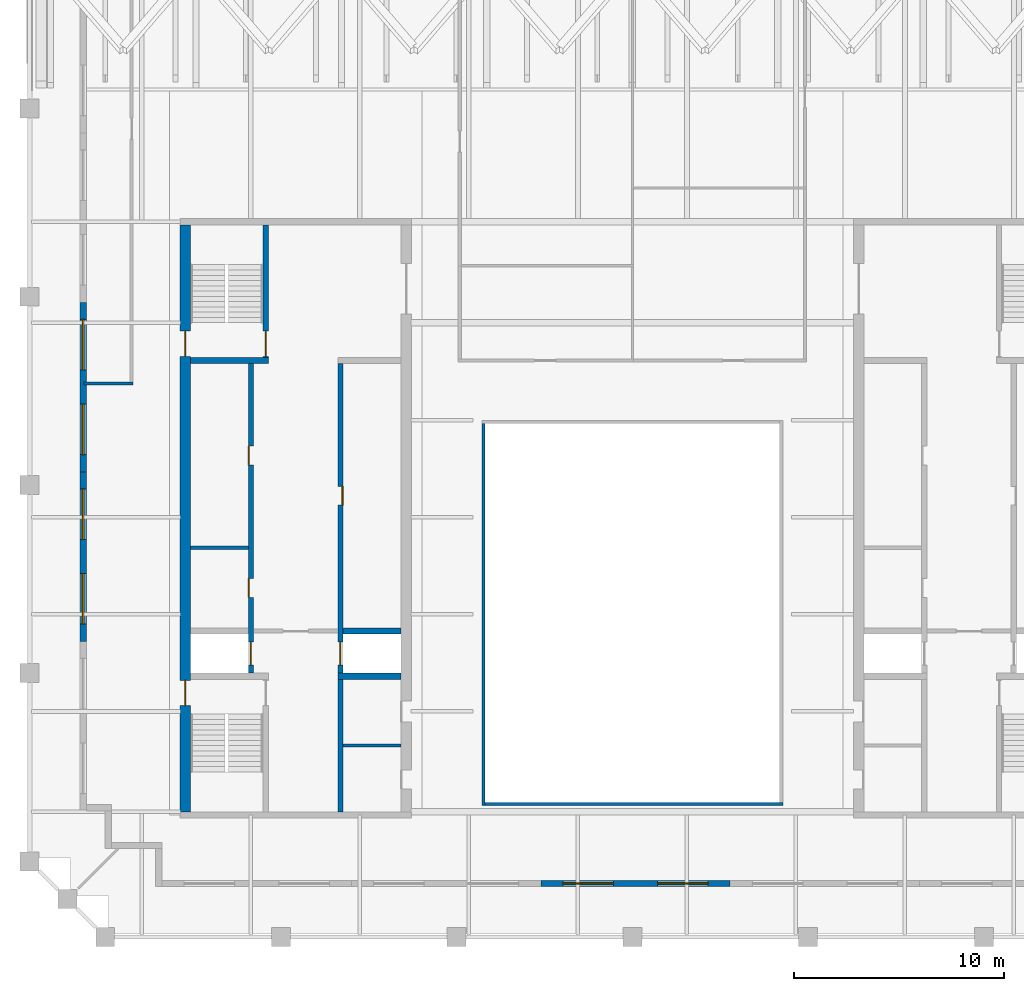
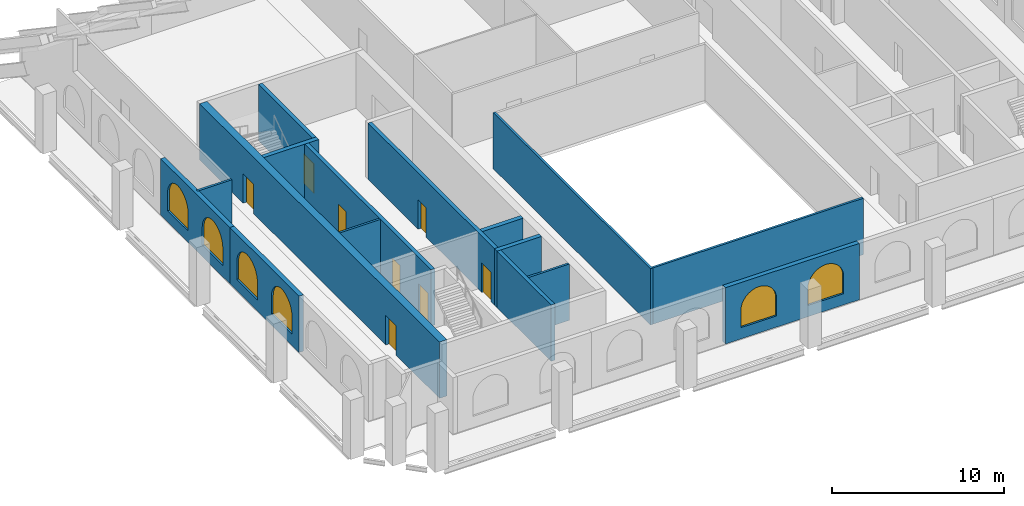
# One storey, part 3 of 8: 15 walls, 8 doors, 6 windows, 14 openings.
"""IFC4 building model written with IfcOpenShell, lengths in metres."""

from ifc_helpers import new_model, si_unit, direction, frame, frame_2d, origin, place, context, subcontext, project, spatial, polyline, rectangle, outline, extrude, material, layer, layer_set, type_object, element, fill, save


model = new_model("IFC4")

# Units and contexts
model_context = context("Model", 3, precision=1e-05, world=origin(), true_north=direction((0.0, 1.0)))
body_context = subcontext(model_context, "Body", "Model", "MODEL_VIEW")
ifc_project = project(units=[si_unit("LENGTHUNIT", "METRE"), si_unit("AREAUNIT", "SQUARE_METRE"), si_unit("VOLUMEUNIT", "CUBIC_METRE"), si_unit("PLANEANGLEUNIT", "RADIAN"), si_unit("MASSUNIT", "GRAM", prefix="KILO")], contexts=[model_context])

# Site, building, storey
site_placement = place(None, origin())
site = spatial("IfcSite", under=ifc_project, at=site_placement, CompositionType="ELEMENT")
building_placement = place(site_placement, origin())
building = spatial("IfcBuilding", under=site, at=building_placement, Name="Ogive Exchange Tower", CompositionType="ELEMENT")
storey_placement = place(building_placement, frame((0.0, 0.0, 381.60009765625)))
storey = spatial("IfcBuildingStorey", under=building, at=storey_placement, Name="C04", CompositionType="ELEMENT", Elevation=381.60009765625)

# Walls
ifc_material_1 = material(Name="Gypsum board partition")
ifc_layer_1 = layer(ifc_material_1, 0.14990234375)
ifc_layer_set_1 = layer_set([ifc_layer_1], Name="Core room partition 150 gypsum")
wall_type_1 = type_object("IfcWallType", Name="Core room partition 150 gypsum", PredefinedType="PARTITIONING", material=ifc_layer_set_1)
for number, where, z_axis, x_axis, name in (
    (1, (-21.0, 10.10009765625, 0.0), (0.0, 0.0, 1.0), (1.0, 0.0, 0.0), "W row A bay partition 1-1"),
    (2, (-13.75, 0.699951171875, 0.0), (0.0, 0.0, 1.0), (1.0, 0.0, 0.0), "W south room partition"),
):
    element("IfcWall", number, at=place(storey_placement, frame(where, z_axis=z_axis, x_axis=x_axis)), inside=storey, type_object=wall_type_1, Name=name, PredefinedType="PARTITIONING", context=body_context, shape_type="SweptSolid", body=[
        extrude(rectangle(XDim=2.75, YDim=0.14990234375, at=frame_2d((1.375, 0.0))), origin(), (0.0, 0.0, 1.0), 4.0),
    ])
ifc_material_2 = material(Name="Fire partition EI 60 150")
ifc_layer_2 = layer(ifc_material_2, 0.14990234375)
ifc_layer_set_2 = layer_set([ifc_layer_2], Name="Fire partition EI 60 150")
wall_type_2 = type_object("IfcWallType", Name="Fire partition EI 60 150", PredefinedType="PARTITIONING", material=ifc_layer_set_2)
wall_1_placement = place(storey_placement, frame((-26.050048828125, 17.909912109375, 0.0), z_axis=(0.0, 0.0, 1.0), x_axis=(1.0, 0.0, 0.0)))
element("IfcWall", 3, at=wall_1_placement, inside=storey, type_object=wall_type_2, Name="C04-PWL-001", PredefinedType="PARTITIONING", context=body_context, shape_type="SweptSolid", body=[
    extrude(rectangle(XDim=2.324951171875, YDim=0.14990234375, at=frame_2d((1.16259765625, 0.0))), origin(), (0.0, 0.0, 1.0), 4.0),
])
ifc_material_3 = material(Name="Fire-resisting glass in steel frame", Category="steel")
ifc_layer_3 = layer(ifc_material_3, 0.14990234375)
ifc_layer_set_3 = layer_set([ifc_layer_3], Name="Fire-rated glazed wall 150")
wall_type_3 = type_object("IfcWallType", Name="Fire-rated glazed wall 150", PredefinedType="STANDARD", material=ifc_layer_set_3)
wall_2_placement = place(storey_placement, frame((-7.074951171875, -2.14990234375, 0.0), z_axis=(0.0, 0.0, 1.0), x_axis=(0.0, 1.0, 0.0)))
element("IfcWall", 4, at=wall_2_placement, inside=storey, type_object=wall_type_3, Name="Nave enclosure wall 1", PredefinedType="STANDARD", context=body_context, shape_type="SweptSolid", body=[
    extrude(rectangle(XDim=18.2998046875, YDim=0.14990234375, at=frame_2d((9.14990234375, 0.0))), origin(), (0.0, 0.0, 1.0), 4.0),
])
wall_3_placement = place(storey_placement, frame((7.14990234375, -2.074951171875, 0.0), z_axis=(0.0, 0.0, 1.0), x_axis=(-1.0, 0.0, 0.0)))
element("IfcWall", 5, at=wall_3_placement, inside=storey, type_object=wall_type_3, Name="Nave enclosure wall 4", PredefinedType="STANDARD", context=body_context, shape_type="SweptSolid", body=[
    extrude(rectangle(XDim=14.14990234375, YDim=0.14990234375, at=frame_2d((7.074951171875, 0.0))), origin(), (0.0, 0.0, 1.0), 4.0),
])

# Wall, opening, door
ifc_material_4 = material(Name="Concrete C70/85", Category="concrete")
ifc_layer_4 = layer(ifc_material_4, 0.25)
ifc_layer_set_4 = layer_set([ifc_layer_4], Name="RC core wall 250 C70/85")
wall_type_4 = type_object("IfcWallType", Name="RC core wall 250 C70/85", PredefinedType="SHEAR", material=ifc_layer_set_4)
wall_4_placement = place(storey_placement, frame((-17.425048828125, 19.14990234375, 0.0), z_axis=(0.0, 0.0, 1.0), x_axis=(0.0, 1.0, 0.0)))
wall_4 = element("IfcWall", 6, at=wall_4_placement, inside=storey, type_object=wall_type_4, Name="W stair N front wall", PredefinedType="SHEAR", context=body_context, shape_type="SweptSolid", body=[
    extrude(rectangle(XDim=6.300048828125, YDim=0.25, at=frame_2d((3.14990234375, 0.0))), origin(), (0.0, 0.0, 1.0), 4.0),
])
opening_1_placement = place(wall_4_placement, frame((0.050048828125, 0.0, 0.0)))
opening_1 = element("IfcOpeningElement", 7, at=opening_1_placement, cuts=wall_4, Name="Opening C04-C10", PredefinedType="OPENING", context=body_context, shape_type="SweptSolid", body=[
    extrude(rectangle(XDim=1.199951171875, YDim=2.10009765625, at=frame_2d((0.60009765625, 1.050048828125))), frame((0.0, 0.135009765625, 0.0), z_axis=(0.0, -1.0, 0.0), x_axis=(1.0, 0.0, 0.0)), (0.0, 0.0, 1.0), 0.27001953125),
])
ifc_material_5 = material(Name="Steel fire door", Category="steel")
door_type_1 = type_object("IfcDoorType", Name="Stair door FD90 1200 x 2100", OperationType="NOTDEFINED", PredefinedType="DOOR", material=ifc_material_5)
door_1_placement = place(opening_1_placement, origin())
door_1 = element("IfcDoor", 8, at=door_1_placement, inside=storey, type_object=door_type_1, Name="Stair door", ObjectType="CD5", OperationType="SINGLE_SWING_RIGHT", OverallHeight=2.10009765625, OverallWidth=1.199951171875, PredefinedType="DOOR", context=body_context, shape_type="SweptSolid", body=[
    extrude(rectangle(XDim=1.199951171875, YDim=2.10009765625, at=frame_2d((0.60009765625, 1.050048828125))), frame((0.0, 0.02490234375, 0.0), z_axis=(0.0, -1.0, 0.0), x_axis=(1.0, 0.0, 0.0)), (0.0, 0.0, 1.0), 0.050048828125),
])
fill(opening_1, door_1)

# Wall, openings, doors
wall_5_placement = place(storey_placement, frame((-18.125, 4.14990234375, 0.0), z_axis=(0.0, 0.0, 1.0), x_axis=(0.0, 1.0, 0.0)))
wall_5 = element("IfcWall", 9, at=wall_5_placement, inside=storey, type_object=wall_type_4, Name="W row A front wall", PredefinedType="SHEAR", context=body_context, shape_type="SweptSolid", body=[
    extrude(rectangle(XDim=14.7001953125, YDim=0.25, at=frame_2d((7.35009765625, 0.0))), origin(), (0.0, 0.0, 1.0), 4.0),
])
opening_2_placement = place(wall_5_placement, frame((3.596435546875, 0.0, 0.0)))
opening_2 = element("IfcOpeningElement", 10, at=opening_2_placement, cuts=wall_5, Name="Opening C04-C01", PredefinedType="OPENING", context=body_context, shape_type="SweptSolid", body=[
    extrude(rectangle(XDim=0.89990234375, YDim=2.10009765625, at=frame_2d((0.449951171875, 1.050048828125))), frame((0.0, 0.135009765625, 0.0), z_axis=(0.0, -1.0, 0.0), x_axis=(1.0, 0.0, 0.0)), (0.0, 0.0, 1.0), 0.27001953125),
])
opening_3_placement = place(wall_5_placement, frame((9.875, 0.0, 0.0)))
opening_3 = element("IfcOpeningElement", 11, at=opening_3_placement, cuts=wall_5, Name="Opening C04-C02", PredefinedType="OPENING", context=body_context, shape_type="SweptSolid", body=[
    extrude(rectangle(XDim=0.89990234375, YDim=2.10009765625, at=frame_2d((0.449951171875, 1.050048828125))), frame((0.0, 0.135009765625, 0.0), z_axis=(0.0, -1.0, 0.0), x_axis=(1.0, 0.0, 0.0)), (0.0, 0.0, 1.0), 0.27001953125),
])
opening_4_placement = place(wall_5_placement, frame((0.371337890625, 0.0, 0.0)))
opening_4 = element("IfcOpeningElement", 12, at=opening_4_placement, cuts=wall_5, Name="Opening C04-C03", PredefinedType="OPENING", context=body_context, shape_type="SweptSolid", body=[
    extrude(rectangle(XDim=1.10009765625, YDim=2.10009765625, at=frame_2d((0.550048828125, 1.050048828125))), frame((0.0, 0.135009765625, 0.0), z_axis=(0.0, -1.0, 0.0), x_axis=(1.0, 0.0, 0.0)), (0.0, 0.0, 1.0), 0.27001953125),
])
ifc_material_6 = material(Name="Stainless steel", Category="steel")
door_type_2 = type_object("IfcDoorType", Name="Lift landing door FD90 1100 x 2100", OperationType="SLIDING_TO_LEFT", PredefinedType="DOOR", material=ifc_material_6)
door_2_placement = place(opening_4_placement, origin())
door_2 = element("IfcDoor", 13, at=door_2_placement, inside=storey, type_object=door_type_2, Name="Lift landing door FF1", ObjectType="LD", OperationType="SLIDING_TO_LEFT", OverallHeight=2.10009765625, OverallWidth=1.10009765625, PredefinedType="DOOR", context=body_context, shape_type="SweptSolid", body=[
    extrude(rectangle(XDim=1.10009765625, YDim=2.10009765625, at=frame_2d((0.550048828125, 1.050048828125))), frame((0.0, 0.02490234375, 0.0), z_axis=(0.0, -1.0, 0.0), x_axis=(1.0, 0.0, 0.0)), (0.0, 0.0, 1.0), 0.050048828125),
])
fill(opening_4, door_2)
door_type_3 = type_object("IfcDoorType", Name="Riser door FD60 900 x 2100", OperationType="NOTDEFINED", PredefinedType="DOOR", material=ifc_material_5)
door_3_placement = place(opening_2_placement, origin())
door_3 = element("IfcDoor", 14, at=door_3_placement, inside=storey, type_object=door_type_3, Name="Riser door", ObjectType="CD2", OperationType="SINGLE_SWING_RIGHT", OverallHeight=2.10009765625, OverallWidth=0.89990234375, PredefinedType="DOOR", context=body_context, shape_type="SweptSolid", body=[
    extrude(rectangle(XDim=0.89990234375, YDim=2.10009765625, at=frame_2d((0.449951171875, 1.050048828125))), frame((0.0, 0.125, 0.0), z_axis=(0.0, -1.0, 0.0), x_axis=(1.0, 0.0, 0.0)), (0.0, 0.0, 1.0), 0.050048828125),
])
fill(opening_2, door_3)
door_4_placement = place(opening_3_placement, origin())
door_4 = element("IfcDoor", 15, at=door_4_placement, inside=storey, type_object=door_type_3, Name="Riser door", ObjectType="CD2", OperationType="SINGLE_SWING_RIGHT", OverallHeight=2.10009765625, OverallWidth=0.89990234375, PredefinedType="DOOR", context=body_context, shape_type="SweptSolid", body=[
    extrude(rectangle(XDim=0.89990234375, YDim=2.10009765625, at=frame_2d((0.449951171875, 1.050048828125))), frame((0.0, 0.125, 0.0), z_axis=(0.0, -1.0, 0.0), x_axis=(1.0, 0.0, 0.0)), (0.0, 0.0, 1.0), 0.050048828125),
])
fill(opening_3, door_4)

wall_6_placement = place(storey_placement, frame((-13.875, -2.449951171875, 0.0), z_axis=(0.0, 0.0, 1.0), x_axis=(0.0, 1.0, 0.0)))
wall_6 = element("IfcWall", 16, at=wall_6_placement, inside=storey, type_object=wall_type_4, Name="W row B front wall", PredefinedType="SHEAR", context=body_context, shape_type="SweptSolid", body=[
    extrude(rectangle(XDim=21.300048828125, YDim=0.25, at=frame_2d((10.64990234375, 0.0))), origin(), (0.0, 0.0, 1.0), 4.0),
])
opening_5_placement = place(wall_6_placement, frame((14.5712890625, 0.0, 0.0)))
opening_5 = element("IfcOpeningElement", 17, at=opening_5_placement, cuts=wall_6, Name="Opening C04-C04", PredefinedType="OPENING", context=body_context, shape_type="SweptSolid", body=[
    extrude(rectangle(XDim=0.89990234375, YDim=2.10009765625, at=frame_2d((0.449951171875, 1.050048828125))), frame((0.0, 0.135009765625, 0.0), z_axis=(0.0, -1.0, 0.0), x_axis=(1.0, 0.0, 0.0)), (0.0, 0.0, 1.0), 0.27001953125),
])
opening_6_placement = place(wall_6_placement, frame((6.971435546875, 0.0, 0.0)))
opening_6 = element("IfcOpeningElement", 18, at=opening_6_placement, cuts=wall_6, Name="Opening C04-C05", PredefinedType="OPENING", context=body_context, shape_type="SweptSolid", body=[
    extrude(rectangle(XDim=1.10009765625, YDim=2.10009765625, at=frame_2d((0.550048828125, 1.050048828125))), frame((0.0, 0.135009765625, 0.0), z_axis=(0.0, -1.0, 0.0), x_axis=(1.0, 0.0, 0.0)), (0.0, 0.0, 1.0), 0.27001953125),
])
door_5_placement = place(opening_6_placement, origin())
door_5 = element("IfcDoor", 19, at=door_5_placement, inside=storey, type_object=door_type_2, Name="Lift landing door SV1", ObjectType="LD", OperationType="SLIDING_TO_LEFT", OverallHeight=2.10009765625, OverallWidth=1.10009765625, PredefinedType="DOOR", context=body_context, shape_type="SweptSolid", body=[
    extrude(rectangle(XDim=1.10009765625, YDim=2.10009765625, at=frame_2d((0.550048828125, 1.050048828125))), frame((0.0, 0.02490234375, 0.0), z_axis=(0.0, -1.0, 0.0), x_axis=(1.0, 0.0, 0.0)), (0.0, 0.0, 1.0), 0.050048828125),
])
fill(opening_6, door_5)
door_6_placement = place(opening_5_placement, frame((0.89990234375, -0.2001953125, 0.0), z_axis=(0.0, 0.0, 1.0), x_axis=(-1.0, 0.0, 0.0)))
door_6 = element("IfcDoor", 20, at=door_6_placement, inside=storey, type_object=door_type_3, Name="Riser door", ObjectType="CD2", OperationType="SINGLE_SWING_RIGHT", OverallHeight=2.10009765625, OverallWidth=0.89990234375, PredefinedType="DOOR", context=body_context, shape_type="SweptSolid", body=[
    extrude(rectangle(XDim=0.89990234375, YDim=2.10009765625, at=frame_2d((0.449951171875, 1.050048828125))), frame((0.0, -0.0751953125, 0.0), z_axis=(0.0, -1.0, 0.0), x_axis=(1.0, 0.0, 0.0)), (0.0, 0.0, 1.0), 0.050048828125),
])
fill(opening_5, door_6)

# Walls
ifc_layer_5 = layer(ifc_material_4, 0.300048828125)
ifc_layer_set_5 = layer_set([ifc_layer_5], Name="RC core wall 300 C70/85")
wall_type_5 = type_object("IfcWallType", Name="RC core wall 300 C70/85", PredefinedType="SHEAR", material=ifc_layer_set_5)
wall_7_placement = place(storey_placement, frame((-21.0, 19.0, 0.0), z_axis=(0.0, 0.0, 1.0), x_axis=(1.0, 0.0, 0.0)))
element("IfcWall", 21, at=wall_7_placement, inside=storey, type_object=wall_type_5, Name="W stair N south wall", PredefinedType="SHEAR", context=body_context, shape_type="SweptSolid", body=[
    extrude(rectangle(XDim=3.699951171875, YDim=0.300048828125, at=frame_2d((1.85009765625, 0.0))), origin(), (0.0, 0.0, 1.0), 4.0),
])
wall_8_placement = place(storey_placement, frame((-14.0, 4.0, 0.0), z_axis=(0.0, 0.0, 1.0), x_axis=(1.0, 0.0, 0.0)))
element("IfcWall", 22, at=wall_8_placement, inside=storey, type_object=wall_type_5, Name="W row B divider 0", PredefinedType="SHEAR", context=body_context, shape_type="SweptSolid", body=[
    extrude(rectangle(XDim=3.0, YDim=0.300048828125, at=frame_2d((1.5, 0.0))), origin(), (0.0, 0.0, 1.0), 4.0),
])
wall_9_placement = place(storey_placement, frame((-13.75, 6.142822265625, 0.0), z_axis=(0.0, 0.0, 1.0), x_axis=(1.0, 0.0, 0.0)))
element("IfcWall", 23, at=wall_9_placement, inside=storey, type_object=wall_type_5, Name="W row B divider 1", PredefinedType="SHEAR", context=body_context, shape_type="SweptSolid", body=[
    extrude(rectangle(XDim=2.75, YDim=0.300048828125, at=frame_2d((1.375, 0.0))), origin(), (0.0, 0.0, 1.0), 4.0),
])

# Wall, openings, doors
ifc_layer_6 = layer(ifc_material_4, 0.5)
ifc_layer_set_6 = layer_set([ifc_layer_6], Name="RC core wall 500 C70/85")
wall_type_6 = type_object("IfcWallType", Name="RC core wall 500 C70/85", PredefinedType="SHEAR", material=ifc_layer_set_6)
wall_10_placement = place(storey_placement, frame((-21.25, -2.449951171875, 0.0), z_axis=(0.0, 0.0, 1.0), x_axis=(0.0, 1.0, 0.0)))
wall_10 = element("IfcWall", 24, at=wall_10_placement, inside=storey, type_object=wall_type_6, Name="W outer wall", PredefinedType="SHEAR", context=body_context, shape_type="SweptSolid", body=[
    extrude(rectangle(XDim=27.89990234375, YDim=0.5, at=frame_2d((13.949951171875, 0.0))), origin(), (0.0, 0.0, 1.0), 4.0),
])
opening_7_placement = place(wall_10_placement, frame((5.050048828125, 0.0, 0.0)))
opening_7 = element("IfcOpeningElement", 25, at=opening_7_placement, cuts=wall_10, Name="Opening C04-C09", PredefinedType="OPENING", context=body_context, shape_type="SweptSolid", body=[
    extrude(rectangle(XDim=1.199951171875, YDim=2.10009765625, at=frame_2d((0.60009765625, 1.050048828125))), frame((0.0, 0.260009765625, 0.0), z_axis=(0.0, -1.0, 0.0), x_axis=(1.0, 0.0, 0.0)), (0.0, 0.0, 1.0), 0.52001953125),
])
opening_8_placement = place(wall_10_placement, frame((21.64990234375, 0.0, 0.0)))
opening_8 = element("IfcOpeningElement", 26, at=opening_8_placement, cuts=wall_10, Name="Opening C04-C11", PredefinedType="OPENING", context=body_context, shape_type="SweptSolid", body=[
    extrude(rectangle(XDim=1.199951171875, YDim=2.10009765625, at=frame_2d((0.60009765625, 1.050048828125))), frame((0.0, 0.260009765625, 0.0), z_axis=(0.0, -1.0, 0.0), x_axis=(1.0, 0.0, 0.0)), (0.0, 0.0, 1.0), 0.52001953125),
])
door_7_placement = place(opening_7_placement, origin())
door_7 = element("IfcDoor", 27, at=door_7_placement, inside=storey, type_object=door_type_1, Name="Stair door", ObjectType="CD5", OperationType="SINGLE_SWING_RIGHT", OverallHeight=2.10009765625, OverallWidth=1.199951171875, PredefinedType="DOOR", context=body_context, shape_type="SweptSolid", body=[
    extrude(rectangle(XDim=1.199951171875, YDim=2.10009765625, at=frame_2d((0.60009765625, 1.050048828125))), frame((0.0, 0.02490234375, 0.0), z_axis=(0.0, -1.0, 0.0), x_axis=(1.0, 0.0, 0.0)), (0.0, 0.0, 1.0), 0.050048828125),
])
fill(opening_7, door_7)
door_8_placement = place(opening_8_placement, origin())
door_8 = element("IfcDoor", 28, at=door_8_placement, inside=storey, type_object=door_type_1, Name="Stair door", ObjectType="CD5", OperationType="SINGLE_SWING_LEFT", OverallHeight=2.10009765625, OverallWidth=1.199951171875, PredefinedType="DOOR", context=body_context, shape_type="SweptSolid", body=[
    extrude(rectangle(XDim=1.199951171875, YDim=2.10009765625, at=frame_2d((0.60009765625, 1.050048828125))), frame((0.0, 0.02490234375, 0.0), z_axis=(0.0, -1.0, 0.0), x_axis=(1.0, 0.0, 0.0)), (0.0, 0.0, 1.0), 0.050048828125),
])
fill(opening_8, door_8)

# Wall, openings, windows
ifc_material_7 = material(Name="Precast concrete C40/50", Category="concrete")
ifc_layer_7 = layer(ifc_material_7, 0.300048828125)
ifc_layer_set_7 = layer_set([ifc_layer_7], Name="Zinc-clad crown wall 300")
wall_type_7 = type_object("IfcWallType", Name="Zinc-clad crown wall 300", PredefinedType="STANDARD", material=ifc_layer_set_7)
wall_11_placement = place(storey_placement, frame((-4.35009765625, -5.85009765625, 0.0), z_axis=(0.0, 0.0, 1.0), x_axis=(1.0, 0.0, 0.0)))
wall_11 = element("IfcWall", 29, at=wall_11_placement, inside=storey, type_object=wall_type_7, Name="Crown wall 6", PredefinedType="STANDARD", context=body_context, shape_type="SweptSolid", body=[
    extrude(rectangle(XDim=9.0, YDim=0.300048828125, at=frame_2d((4.5, 0.0))), origin(), (0.0, 0.0, 1.0), 4.0),
])
opening_9_placement = place(wall_11_placement, frame((1.050048828125, 0.0, 0.800048828125)))
opening_9 = element("IfcOpeningElement", 30, at=opening_9_placement, cuts=wall_11, Name="Opening WC25", PredefinedType="OPENING", context=body_context, shape_type="SweptSolid", body=[
    extrude(outline(polyline([(0.0, 0.0), (2.39990234375, 0.0), (2.39990234375, 1.25), (2.377197265625, 1.48779296875), (2.3095703125, 1.717041015625), (2.19970703125, 1.928955078125), (2.05126953125, 2.116455078125), (1.8701171875, 2.272216796875), (1.662841796875, 2.390625), (1.4365234375, 2.467529296875), (1.199951171875, 2.5), (0.96337890625, 2.467529296875), (0.737060546875, 2.390625), (0.52978515625, 2.272216796875), (0.3486328125, 2.116455078125), (0.2001953125, 1.928955078125), (0.09033203125, 1.717041015625), (0.022705078125, 1.48779296875), (0.0, 1.25), (0.0, 0.0)])), frame((0.0, 0.159912109375, 0.0), z_axis=(0.0, -1.0, 0.0), x_axis=(1.0, 0.0, 0.0)), (0.0, 0.0, 1.0), 0.320068359375),
])
opening_10_placement = place(wall_11_placement, frame((5.550048828125, 0.0, 0.800048828125)))
opening_10 = element("IfcOpeningElement", 31, at=opening_10_placement, cuts=wall_11, Name="Opening WC25", PredefinedType="OPENING", context=body_context, shape_type="SweptSolid", body=[
    extrude(outline(polyline([(0.0, 0.0), (2.39990234375, 0.0), (2.39990234375, 1.25), (2.377197265625, 1.48779296875), (2.3095703125, 1.717041015625), (2.19970703125, 1.928955078125), (2.05126953125, 2.116455078125), (1.8701171875, 2.272216796875), (1.662841796875, 2.390625), (1.4365234375, 2.467529296875), (1.199951171875, 2.5), (0.96337890625, 2.467529296875), (0.737060546875, 2.390625), (0.52978515625, 2.272216796875), (0.3486328125, 2.116455078125), (0.2001953125, 1.928955078125), (0.09033203125, 1.717041015625), (0.022705078125, 1.48779296875), (0.0, 1.25), (0.0, 0.0)])), frame((0.0, 0.159912109375, 0.0), z_axis=(0.0, -1.0, 0.0), x_axis=(1.0, 0.0, 0.0)), (0.0, 0.0, 1.0), 0.320068359375),
])
ifc_material_8 = material(Name="Clear glass in bronze frame", Category="glass")
window_type = type_object("IfcWindowType", Name="Crown lancet window 2400 x 2500", PartitioningType="DOUBLE_PANEL_VERTICAL", PredefinedType="WINDOW", material=ifc_material_8)
window_1_placement = place(opening_9_placement, origin())
window_1 = element("IfcWindow", 32, at=window_1_placement, inside=storey, type_object=window_type, Name="Crown lancet 6.1", OverallHeight=2.5, OverallWidth=2.39990234375, PartitioningType="DOUBLE_PANEL_VERTICAL", PredefinedType="WINDOW", context=body_context, shape_type="SweptSolid", body=[
    extrude(outline(polyline([(0.0, 0.0), (2.39990234375, 0.0), (2.39990234375, 1.25), (2.377197265625, 1.48779296875), (2.3095703125, 1.717041015625), (2.19970703125, 1.928955078125), (2.05126953125, 2.116455078125), (1.8701171875, 2.272216796875), (1.662841796875, 2.390625), (1.4365234375, 2.467529296875), (1.199951171875, 2.5), (0.96337890625, 2.467529296875), (0.737060546875, 2.390625), (0.52978515625, 2.272216796875), (0.3486328125, 2.116455078125), (0.2001953125, 1.928955078125), (0.09033203125, 1.717041015625), (0.022705078125, 1.48779296875), (0.0, 1.25), (0.0, 0.0)])), frame((0.0, 0.030029296875, 0.0), z_axis=(0.0, -1.0, 0.0), x_axis=(1.0, 0.0, 0.0)), (0.0, 0.0, 1.0), 0.06005859375),
])
fill(opening_9, window_1)
window_2_placement = place(opening_10_placement, origin())
window_2 = element("IfcWindow", 33, at=window_2_placement, inside=storey, type_object=window_type, Name="Crown lancet 6.2", OverallHeight=2.5, OverallWidth=2.39990234375, PartitioningType="DOUBLE_PANEL_VERTICAL", PredefinedType="WINDOW", context=body_context, shape_type="SweptSolid", body=[
    extrude(outline(polyline([(0.0, 0.0), (2.39990234375, 0.0), (2.39990234375, 1.25), (2.377197265625, 1.48779296875), (2.3095703125, 1.717041015625), (2.19970703125, 1.928955078125), (2.05126953125, 2.116455078125), (1.8701171875, 2.272216796875), (1.662841796875, 2.390625), (1.4365234375, 2.467529296875), (1.199951171875, 2.5), (0.96337890625, 2.467529296875), (0.737060546875, 2.390625), (0.52978515625, 2.272216796875), (0.3486328125, 2.116455078125), (0.2001953125, 1.928955078125), (0.09033203125, 1.717041015625), (0.022705078125, 1.48779296875), (0.0, 1.25), (0.0, 0.0)])), frame((0.0, 0.030029296875, 0.0), z_axis=(0.0, -1.0, 0.0), x_axis=(1.0, 0.0, 0.0)), (0.0, 0.0, 1.0), 0.06005859375),
])
fill(opening_10, window_2)

wall_12_placement = place(storey_placement, frame((-26.10009765625, 21.7646484375, 0.0), z_axis=(0.0, 0.0, 1.0), x_axis=(0.0, -1.0, 0.0)))
wall_12 = element("IfcWall", 34, at=wall_12_placement, inside=storey, type_object=wall_type_7, Name="Crown wall 26", PredefinedType="STANDARD", context=body_context, shape_type="SweptSolid", body=[
    extrude(rectangle(XDim=8.054931640625, YDim=0.300048828125, at=frame_2d((4.02734375, 0.0))), origin(), (0.0, 0.0, 1.0), 4.0),
])
opening_11_placement = place(wall_12_placement, frame((0.813720703125, 0.0, 0.800048828125)))
opening_11 = element("IfcOpeningElement", 35, at=opening_11_placement, cuts=wall_12, Name="Opening WC25", PredefinedType="OPENING", context=body_context, shape_type="SweptSolid", body=[
    extrude(outline(polyline([(0.0, 0.0), (2.39990234375, 0.0), (2.39990234375, 1.25), (2.377197265625, 1.48779296875), (2.3095703125, 1.717041015625), (2.19970703125, 1.928955078125), (2.05126953125, 2.116455078125), (1.8701171875, 2.272216796875), (1.662841796875, 2.390625), (1.4365234375, 2.467529296875), (1.199951171875, 2.5), (0.96337890625, 2.467529296875), (0.737060546875, 2.390625), (0.52978515625, 2.272216796875), (0.3486328125, 2.116455078125), (0.2001953125, 1.928955078125), (0.09033203125, 1.717041015625), (0.022705078125, 1.48779296875), (0.0, 1.25), (0.0, 0.0)])), frame((0.0, 0.159912109375, 0.0), z_axis=(0.0, -1.0, 0.0), x_axis=(1.0, 0.0, 0.0)), (0.0, 0.0, 1.0), 0.320068359375),
])
opening_12_placement = place(wall_12_placement, frame((4.84130859375, 0.0, 0.800048828125)))
opening_12 = element("IfcOpeningElement", 36, at=opening_12_placement, cuts=wall_12, Name="Opening WC25", PredefinedType="OPENING", context=body_context, shape_type="SweptSolid", body=[
    extrude(outline(polyline([(0.0, 0.0), (2.39990234375, 0.0), (2.39990234375, 1.25), (2.377197265625, 1.48779296875), (2.3095703125, 1.717041015625), (2.19970703125, 1.928955078125), (2.05126953125, 2.116455078125), (1.8701171875, 2.272216796875), (1.662841796875, 2.390625), (1.4365234375, 2.467529296875), (1.199951171875, 2.5), (0.96337890625, 2.467529296875), (0.737060546875, 2.390625), (0.52978515625, 2.272216796875), (0.3486328125, 2.116455078125), (0.2001953125, 1.928955078125), (0.09033203125, 1.717041015625), (0.022705078125, 1.48779296875), (0.0, 1.25), (0.0, 0.0)])), frame((0.0, 0.159912109375, 0.0), z_axis=(0.0, -1.0, 0.0), x_axis=(1.0, 0.0, 0.0)), (0.0, 0.0, 1.0), 0.320068359375),
])
window_3_placement = place(opening_11_placement, origin())
window_3 = element("IfcWindow", 37, at=window_3_placement, inside=storey, type_object=window_type, Name="Crown lancet 26.1", OverallHeight=2.5, OverallWidth=2.39990234375, PartitioningType="DOUBLE_PANEL_VERTICAL", PredefinedType="WINDOW", context=body_context, shape_type="SweptSolid", body=[
    extrude(outline(polyline([(0.0, 0.0), (2.39990234375, 0.0), (2.39990234375, 1.25), (2.377197265625, 1.48779296875), (2.3095703125, 1.717041015625), (2.19970703125, 1.928955078125), (2.05126953125, 2.116455078125), (1.8701171875, 2.272216796875), (1.662841796875, 2.390625), (1.4365234375, 2.467529296875), (1.199951171875, 2.5), (0.96337890625, 2.467529296875), (0.737060546875, 2.390625), (0.52978515625, 2.272216796875), (0.3486328125, 2.116455078125), (0.2001953125, 1.928955078125), (0.09033203125, 1.717041015625), (0.022705078125, 1.48779296875), (0.0, 1.25), (0.0, 0.0)])), frame((0.0, 0.030029296875, 0.0), z_axis=(0.0, -1.0, 0.0), x_axis=(1.0, 0.0, 0.0)), (0.0, 0.0, 1.0), 0.06005859375),
])
fill(opening_11, window_3)
window_4_placement = place(opening_12_placement, origin())
window_4 = element("IfcWindow", 38, at=window_4_placement, inside=storey, type_object=window_type, Name="Crown lancet 26.2", OverallHeight=2.5, OverallWidth=2.39990234375, PartitioningType="DOUBLE_PANEL_VERTICAL", PredefinedType="WINDOW", context=body_context, shape_type="SweptSolid", body=[
    extrude(outline(polyline([(0.0, 0.0), (2.39990234375, 0.0), (2.39990234375, 1.25), (2.377197265625, 1.48779296875), (2.3095703125, 1.717041015625), (2.19970703125, 1.928955078125), (2.05126953125, 2.116455078125), (1.8701171875, 2.272216796875), (1.662841796875, 2.390625), (1.4365234375, 2.467529296875), (1.199951171875, 2.5), (0.96337890625, 2.467529296875), (0.737060546875, 2.390625), (0.52978515625, 2.272216796875), (0.3486328125, 2.116455078125), (0.2001953125, 1.928955078125), (0.09033203125, 1.717041015625), (0.022705078125, 1.48779296875), (0.0, 1.25), (0.0, 0.0)])), frame((0.0, 0.030029296875, 0.0), z_axis=(0.0, -1.0, 0.0), x_axis=(1.0, 0.0, 0.0)), (0.0, 0.0, 1.0), 0.06005859375),
])
fill(opening_12, window_4)

wall_13_placement = place(storey_placement, frame((-26.10009765625, 13.709716796875, 0.0), z_axis=(0.0, 0.0, 1.0), x_axis=(0.0, -1.0, 0.0)))
wall_13 = element("IfcWall", 39, at=wall_13_placement, inside=storey, type_object=wall_type_7, Name="Crown wall 27", PredefinedType="STANDARD", context=body_context, shape_type="SweptSolid", body=[
    extrude(rectangle(XDim=8.054931640625, YDim=0.300048828125, at=frame_2d((4.02734375, 0.0))), origin(), (0.0, 0.0, 1.0), 4.0),
])
opening_13_placement = place(wall_13_placement, frame((0.813720703125, 0.0, 0.800048828125)))
opening_13 = element("IfcOpeningElement", 40, at=opening_13_placement, cuts=wall_13, Name="Opening WC25", PredefinedType="OPENING", context=body_context, shape_type="SweptSolid", body=[
    extrude(outline(polyline([(0.0, 0.0), (2.39990234375, 0.0), (2.39990234375, 1.25), (2.377197265625, 1.48779296875), (2.3095703125, 1.717041015625), (2.19970703125, 1.928955078125), (2.05126953125, 2.116455078125), (1.8701171875, 2.272216796875), (1.662841796875, 2.390625), (1.4365234375, 2.467529296875), (1.199951171875, 2.5), (0.96337890625, 2.467529296875), (0.737060546875, 2.390625), (0.52978515625, 2.272216796875), (0.3486328125, 2.116455078125), (0.2001953125, 1.928955078125), (0.09033203125, 1.717041015625), (0.022705078125, 1.48779296875), (0.0, 1.25), (0.0, 0.0)])), frame((0.0, 0.159912109375, 0.0), z_axis=(0.0, -1.0, 0.0), x_axis=(1.0, 0.0, 0.0)), (0.0, 0.0, 1.0), 0.320068359375),
])
opening_14_placement = place(wall_13_placement, frame((4.84130859375, 0.0, 0.800048828125)))
opening_14 = element("IfcOpeningElement", 41, at=opening_14_placement, cuts=wall_13, Name="Opening WC25", PredefinedType="OPENING", context=body_context, shape_type="SweptSolid", body=[
    extrude(outline(polyline([(0.0, 0.0), (2.39990234375, 0.0), (2.39990234375, 1.25), (2.377197265625, 1.48779296875), (2.3095703125, 1.717041015625), (2.19970703125, 1.928955078125), (2.05126953125, 2.116455078125), (1.8701171875, 2.272216796875), (1.662841796875, 2.390625), (1.4365234375, 2.467529296875), (1.199951171875, 2.5), (0.96337890625, 2.467529296875), (0.737060546875, 2.390625), (0.52978515625, 2.272216796875), (0.3486328125, 2.116455078125), (0.2001953125, 1.928955078125), (0.09033203125, 1.717041015625), (0.022705078125, 1.48779296875), (0.0, 1.25), (0.0, 0.0)])), frame((0.0, 0.159912109375, 0.0), z_axis=(0.0, -1.0, 0.0), x_axis=(1.0, 0.0, 0.0)), (0.0, 0.0, 1.0), 0.320068359375),
])
window_5_placement = place(opening_13_placement, origin())
window_5 = element("IfcWindow", 42, at=window_5_placement, inside=storey, type_object=window_type, Name="Crown lancet 27.1", OverallHeight=2.5, OverallWidth=2.39990234375, PartitioningType="DOUBLE_PANEL_VERTICAL", PredefinedType="WINDOW", context=body_context, shape_type="SweptSolid", body=[
    extrude(outline(polyline([(0.0, 0.0), (2.39990234375, 0.0), (2.39990234375, 1.25), (2.377197265625, 1.48779296875), (2.3095703125, 1.717041015625), (2.19970703125, 1.928955078125), (2.05126953125, 2.116455078125), (1.8701171875, 2.272216796875), (1.662841796875, 2.390625), (1.4365234375, 2.467529296875), (1.199951171875, 2.5), (0.96337890625, 2.467529296875), (0.737060546875, 2.390625), (0.52978515625, 2.272216796875), (0.3486328125, 2.116455078125), (0.2001953125, 1.928955078125), (0.09033203125, 1.717041015625), (0.022705078125, 1.48779296875), (0.0, 1.25), (0.0, 0.0)])), frame((0.0, 0.030029296875, 0.0), z_axis=(0.0, -1.0, 0.0), x_axis=(1.0, 0.0, 0.0)), (0.0, 0.0, 1.0), 0.06005859375),
])
fill(opening_13, window_5)
window_6_placement = place(opening_14_placement, origin())
window_6 = element("IfcWindow", 43, at=window_6_placement, inside=storey, type_object=window_type, Name="Crown lancet 27.2", OverallHeight=2.5, OverallWidth=2.39990234375, PartitioningType="DOUBLE_PANEL_VERTICAL", PredefinedType="WINDOW", context=body_context, shape_type="SweptSolid", body=[
    extrude(outline(polyline([(0.0, 0.0), (2.39990234375, 0.0), (2.39990234375, 1.25), (2.377197265625, 1.48779296875), (2.3095703125, 1.717041015625), (2.19970703125, 1.928955078125), (2.05126953125, 2.116455078125), (1.8701171875, 2.272216796875), (1.662841796875, 2.390625), (1.4365234375, 2.467529296875), (1.199951171875, 2.5), (0.96337890625, 2.467529296875), (0.737060546875, 2.390625), (0.52978515625, 2.272216796875), (0.3486328125, 2.116455078125), (0.2001953125, 1.928955078125), (0.09033203125, 1.717041015625), (0.022705078125, 1.48779296875), (0.0, 1.25), (0.0, 0.0)])), frame((0.0, 0.030029296875, 0.0), z_axis=(0.0, -1.0, 0.0), x_axis=(1.0, 0.0, 0.0)), (0.0, 0.0, 1.0), 0.06005859375),
])
fill(opening_14, window_6)

save(model, "model.ifc")
